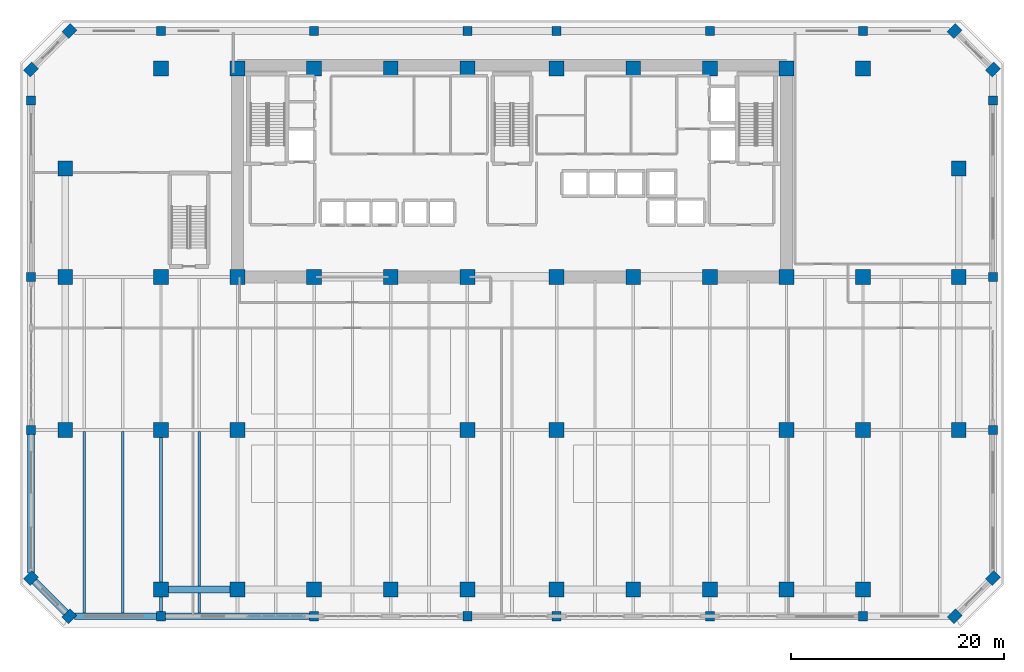
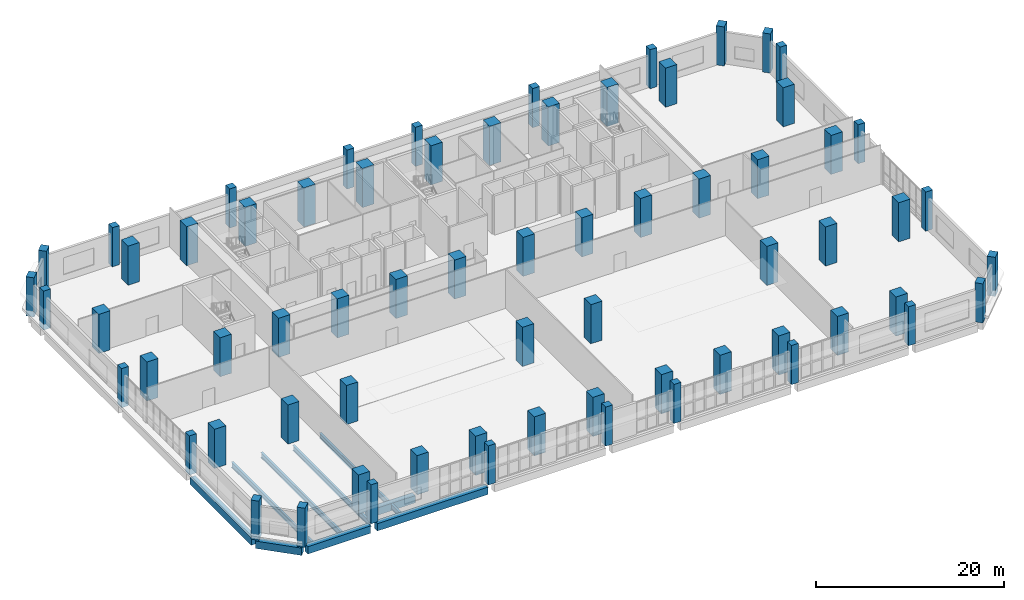
# One storey, part 1 of 25: 68 columns, 9 beams.
"""IFC4 building model written with IfcOpenShell, lengths in metres."""

from ifc_helpers import new_model, si_unit, direction, frame, origin, origin_2d, place, context, subcontext, project, spatial, rectangle, i_section, extrude, material, material_profile, profile_set, type_object, element, save


model = new_model("IFC4")

# Units and contexts
model_context = context("Model", 3, precision=1e-05, world=origin(), true_north=direction((0.0, 1.0)))
body_context = subcontext(model_context, "Body", "Model", "MODEL_VIEW")
ifc_project = project(units=[si_unit("LENGTHUNIT", "METRE"), si_unit("AREAUNIT", "SQUARE_METRE"), si_unit("VOLUMEUNIT", "CUBIC_METRE"), si_unit("PLANEANGLEUNIT", "RADIAN"), si_unit("MASSUNIT", "GRAM", prefix="KILO")], contexts=[model_context])

# Site, building, storey
site_placement = place(None, origin())
site = spatial("IfcSite", under=ifc_project, at=site_placement, CompositionType="ELEMENT")
building_placement = place(site_placement, origin())
building = spatial("IfcBuilding", under=site, at=building_placement, Name="Kaelvorn Grand Hotel", CompositionType="ELEMENT")
storey_placement = place(building_placement, frame((0.0, 0.0, 14.0)))
storey = spatial("IfcBuildingStorey", under=building, at=storey_placement, Name="L02", CompositionType="ELEMENT", Elevation=14.0)

# Columns
ifc_material_1 = material(Name="Concrete C80/95", Category="concrete")
ifc_material_profile_1 = material_profile(ifc_material_1, rectangle(XDim=1.10009765625, YDim=0.89990234375, at=origin_2d()), Name="RC PILASTER 1100x900")
ifc_profile_set_1 = profile_set([ifc_material_profile_1], Name="Concrete C80/95")
column_type_1 = type_object("IfcColumnType", Name="COL-PIL-1100x900-C80", PredefinedType="PILASTER", material=ifc_profile_set_1)
for number, where, z_axis, x_axis, name in (
    (1, (0.39990234375, -2.5, 0.0), (0.0, 0.0, 1.0), (0.707106781187, 0.707106781187, 0.0), "L02 Structural Column PDCH-01"),
    (2, (83.60009765625, -2.5, 0.0), (0.0, 0.0, 1.0), (0.707106781187, 0.707106781187, 0.0), "L02 Structural Column PDCH-02"),
    (3, (87.199951171875, 1.10009765625, 0.0), (0.0, 0.0, 1.0), (0.707106781187, 0.707106781187, 0.0), "L02 Structural Column PDCH-03"),
    (4, (87.199951171875, 48.89990234375, 0.0), (0.0, 0.0, 1.0), (0.707106781187, 0.707106781187, 0.0), "L02 Structural Column PDCH-04"),
    (5, (83.60009765625, 52.5, 0.0), (0.0, 0.0, 1.0), (0.707106781187, 0.707106781187, 0.0), "L02 Structural Column PDCH-05"),
    (6, (0.39990234375, 52.5, 0.0), (0.0, 0.0, 1.0), (0.707106781187, 0.707106781187, 0.0), "L02 Structural Column PDCH-06"),
    (7, (-3.199951171875, 48.89990234375, 0.0), (0.0, 0.0, 1.0), (0.707106781187, 0.707106781187, 0.0), "L02 Structural Column PDCH-07"),
    (8, (-3.199951171875, 1.10009765625, 0.0), (0.0, 0.0, 1.0), (0.707106781187, 0.707106781187, 0.0), "L02 Structural Column PDCH-08"),
):
    element("IfcColumn", number, at=place(storey_placement, frame(where, z_axis=z_axis, x_axis=x_axis)), inside=storey, type_object=column_type_1, Name=name, PredefinedType="PILASTER", context=body_context, shape_type="SweptSolid", body=[
        extrude(rectangle(XDim=1.10009765625, YDim=0.89990234375, at=origin_2d()), origin(), (0.0, 0.0, 1.0), 5.080078125),
    ])
ifc_material_profile_2 = material_profile(ifc_material_1, rectangle(XDim=1.39990234375, YDim=1.39990234375, at=origin_2d()), Name="RC COL 1400x1400")
ifc_profile_set_2 = profile_set([ifc_material_profile_2], Name="Concrete C80/95")
column_type_2 = type_object("IfcColumnType", Name="COL-RC-1400-C80", PredefinedType="COLUMN", material=ifc_profile_set_2)
for number, where, z_axis, x_axis, name in (
    (9, (9.0, 0.0, 0.0), (0.0, 0.0, 1.0), (1.0, 0.0, 0.0), "L02 Structural Column TS-01"),
    (10, (9.0, 29.39990234375, 0.0), (0.0, 0.0, 1.0), (1.0, 0.0, 0.0), "L02 Structural Column TC-01"),
    (11, (9.0, 49.0, 0.0), (0.0, 0.0, 1.0), (1.0, 0.0, 0.0), "L02 Structural Column TN-01"),
    (12, (16.199951171875, 0.0, 0.0), (0.0, 0.0, 1.0), (1.0, 0.0, 0.0), "L02 Structural Column TS-02"),
    (13, (16.199951171875, 29.39990234375, 0.0), (0.0, 0.0, 1.0), (1.0, 0.0, 0.0), "L02 Structural Column TC-02"),
    (14, (16.199951171875, 49.0, 0.0), (0.0, 0.0, 1.0), (1.0, 0.0, 0.0), "L02 Structural Column TN-02"),
    (15, (23.39990234375, 0.0, 0.0), (0.0, 0.0, 1.0), (1.0, 0.0, 0.0), "L02 Structural Column TS-03"),
    (16, (23.39990234375, 29.39990234375, 0.0), (0.0, 0.0, 1.0), (1.0, 0.0, 0.0), "L02 Structural Column TC-03"),
    (17, (23.39990234375, 49.0, 0.0), (0.0, 0.0, 1.0), (1.0, 0.0, 0.0), "L02 Structural Column TN-03"),
    (18, (30.60009765625, 0.0, 0.0), (0.0, 0.0, 1.0), (1.0, 0.0, 0.0), "L02 Structural Column TS-04"),
    (19, (30.60009765625, 29.39990234375, 0.0), (0.0, 0.0, 1.0), (1.0, 0.0, 0.0), "L02 Structural Column TC-04"),
    (20, (30.60009765625, 49.0, 0.0), (0.0, 0.0, 1.0), (1.0, 0.0, 0.0), "L02 Structural Column TN-04"),
    (21, (37.800048828125, 0.0, 0.0), (0.0, 0.0, 1.0), (1.0, 0.0, 0.0), "L02 Structural Column TS-05"),
    (22, (37.800048828125, 29.39990234375, 0.0), (0.0, 0.0, 1.0), (1.0, 0.0, 0.0), "L02 Structural Column TC-05"),
    (23, (37.800048828125, 49.0, 0.0), (0.0, 0.0, 1.0), (1.0, 0.0, 0.0), "L02 Structural Column TN-05"),
    (24, (46.199951171875, 0.0, 0.0), (0.0, 0.0, 1.0), (1.0, 0.0, 0.0), "L02 Structural Column TS-06"),
    (25, (46.199951171875, 29.39990234375, 0.0), (0.0, 0.0, 1.0), (1.0, 0.0, 0.0), "L02 Structural Column TC-06"),
    (26, (46.199951171875, 49.0, 0.0), (0.0, 0.0, 1.0), (1.0, 0.0, 0.0), "L02 Structural Column TN-06"),
    (27, (53.39990234375, 0.0, 0.0), (0.0, 0.0, 1.0), (1.0, 0.0, 0.0), "L02 Structural Column TS-07"),
    (28, (53.39990234375, 29.39990234375, 0.0), (0.0, 0.0, 1.0), (1.0, 0.0, 0.0), "L02 Structural Column TC-07"),
    (29, (53.39990234375, 49.0, 0.0), (0.0, 0.0, 1.0), (1.0, 0.0, 0.0), "L02 Structural Column TN-07"),
    (30, (60.60009765625, 0.0, 0.0), (0.0, 0.0, 1.0), (1.0, 0.0, 0.0), "L02 Structural Column TS-08"),
    (31, (60.60009765625, 29.39990234375, 0.0), (0.0, 0.0, 1.0), (1.0, 0.0, 0.0), "L02 Structural Column TC-08"),
    (32, (60.60009765625, 49.0, 0.0), (0.0, 0.0, 1.0), (1.0, 0.0, 0.0), "L02 Structural Column TN-08"),
    (33, (67.800048828125, 0.0, 0.0), (0.0, 0.0, 1.0), (1.0, 0.0, 0.0), "L02 Structural Column TS-09"),
    (34, (67.800048828125, 29.39990234375, 0.0), (0.0, 0.0, 1.0), (1.0, 0.0, 0.0), "L02 Structural Column TC-09"),
    (35, (67.800048828125, 49.0, 0.0), (0.0, 0.0, 1.0), (1.0, 0.0, 0.0), "L02 Structural Column TN-09"),
    (36, (75.0, 0.0, 0.0), (0.0, 0.0, 1.0), (1.0, 0.0, 0.0), "L02 Structural Column TS-10"),
    (37, (75.0, 29.39990234375, 0.0), (0.0, 0.0, 1.0), (1.0, 0.0, 0.0), "L02 Structural Column TC-10"),
    (38, (75.0, 49.0, 0.0), (0.0, 0.0, 1.0), (1.0, 0.0, 0.0), "L02 Structural Column TN-10"),
    (39, (9.0, 15.0, 0.0), (0.0, 0.0, 1.0), (1.0, 0.0, 0.0), "L02 Structural Column TM-01"),
    (40, (37.800048828125, 15.0, 0.0), (0.0, 0.0, 1.0), (1.0, 0.0, 0.0), "L02 Structural Column TM-02"),
    (41, (46.199951171875, 15.0, 0.0), (0.0, 0.0, 1.0), (1.0, 0.0, 0.0), "L02 Structural Column TM-03"),
    (42, (75.0, 15.0, 0.0), (0.0, 0.0, 1.0), (1.0, 0.0, 0.0), "L02 Structural Column TM-04"),
    (43, (16.199951171875, 15.0, 0.0), (0.0, 0.0, 1.0), (1.0, 0.0, 0.0), "L02 Structural Column TMR-01"),
    (44, (67.800048828125, 15.0, 0.0), (0.0, 0.0, 1.0), (1.0, 0.0, 0.0), "L02 Structural Column TMR-02"),
    (45, (0.0, 15.0, 0.0), (0.0, 0.0, 1.0), (1.0, 0.0, 0.0), "L02 Structural Column TW-01"),
    (46, (84.0, 15.0, 0.0), (0.0, 0.0, 1.0), (1.0, 0.0, 0.0), "L02 Structural Column TE-01"),
    (47, (0.0, 29.39990234375, 0.0), (0.0, 0.0, 1.0), (1.0, 0.0, 0.0), "L02 Structural Column TW-02"),
    (48, (84.0, 29.39990234375, 0.0), (0.0, 0.0, 1.0), (1.0, 0.0, 0.0), "L02 Structural Column TE-02"),
    (49, (0.0, 39.60009765625, 0.0), (0.0, 0.0, 1.0), (1.0, 0.0, 0.0), "L02 Structural Column TW-03"),
    (50, (84.0, 39.60009765625, 0.0), (0.0, 0.0, 1.0), (1.0, 0.0, 0.0), "L02 Structural Column TE-03"),
):
    element("IfcColumn", number, at=place(storey_placement, frame(where, z_axis=z_axis, x_axis=x_axis)), inside=storey, type_object=column_type_2, Name=name, PredefinedType="COLUMN", context=body_context, shape_type="SweptSolid", body=[
        extrude(rectangle(XDim=1.39990234375, YDim=1.39990234375, at=origin_2d()), origin(), (0.0, 0.0, 1.0), 5.080078125),
    ])
ifc_material_2 = material(Name="Concrete C50/60", Category="concrete")
ifc_material_profile_3 = material_profile(ifc_material_2, rectangle(XDim=0.85009765625, YDim=0.85009765625, at=origin_2d()), Name="RC COL 850x850")
ifc_profile_set_3 = profile_set([ifc_material_profile_3], Name="Concrete C50/60")
column_type_3 = type_object("IfcColumnType", Name="COL-RC-850-C50", PredefinedType="COLUMN", material=ifc_profile_set_3)
for number, where, z_axis, x_axis, name in (
    (51, (9.0, -2.5, 0.0), (0.0, 0.0, 1.0), (1.0, 0.0, 0.0), "L02 Structural Column PDS-01"),
    (52, (9.0, 52.5, 0.0), (0.0, 0.0, 1.0), (1.0, 0.0, 0.0), "L02 Structural Column PDN-01"),
    (53, (23.39990234375, -2.5, 0.0), (0.0, 0.0, 1.0), (1.0, 0.0, 0.0), "L02 Structural Column PDS-02"),
    (54, (23.39990234375, 52.5, 0.0), (0.0, 0.0, 1.0), (1.0, 0.0, 0.0), "L02 Structural Column PDN-02"),
    (55, (37.800048828125, -2.5, 0.0), (0.0, 0.0, 1.0), (1.0, 0.0, 0.0), "L02 Structural Column PDS-03"),
    (56, (37.800048828125, 52.5, 0.0), (0.0, 0.0, 1.0), (1.0, 0.0, 0.0), "L02 Structural Column PDN-03"),
    (57, (46.199951171875, -2.5, 0.0), (0.0, 0.0, 1.0), (1.0, 0.0, 0.0), "L02 Structural Column PDS-04"),
    (58, (46.199951171875, 52.5, 0.0), (0.0, 0.0, 1.0), (1.0, 0.0, 0.0), "L02 Structural Column PDN-04"),
    (59, (60.60009765625, -2.5, 0.0), (0.0, 0.0, 1.0), (1.0, 0.0, 0.0), "L02 Structural Column PDS-05"),
    (60, (60.60009765625, 52.5, 0.0), (0.0, 0.0, 1.0), (1.0, 0.0, 0.0), "L02 Structural Column PDN-05"),
    (61, (75.0, -2.5, 0.0), (0.0, 0.0, 1.0), (1.0, 0.0, 0.0), "L02 Structural Column PDS-06"),
    (62, (75.0, 52.5, 0.0), (0.0, 0.0, 1.0), (1.0, 0.0, 0.0), "L02 Structural Column PDN-06"),
    (63, (-3.199951171875, 15.0, 0.0), (0.0, 0.0, 1.0), (1.0, 0.0, 0.0), "L02 Structural Column PDW-01"),
    (64, (87.199951171875, 15.0, 0.0), (0.0, 0.0, 1.0), (1.0, 0.0, 0.0), "L02 Structural Column PDE-01"),
    (65, (-3.199951171875, 29.39990234375, 0.0), (0.0, 0.0, 1.0), (1.0, 0.0, 0.0), "L02 Structural Column PDW-02"),
    (66, (87.199951171875, 29.39990234375, 0.0), (0.0, 0.0, 1.0), (1.0, 0.0, 0.0), "L02 Structural Column PDE-02"),
    (67, (-3.199951171875, 46.0, 0.0), (0.0, 0.0, 1.0), (1.0, 0.0, 0.0), "L02 Structural Column PDW-03"),
    (68, (87.199951171875, 46.0, 0.0), (0.0, 0.0, 1.0), (1.0, 0.0, 0.0), "L02 Structural Column PDE-03"),
):
    element("IfcColumn", number, at=place(storey_placement, frame(where, z_axis=z_axis, x_axis=x_axis)), inside=storey, type_object=column_type_3, Name=name, PredefinedType="COLUMN", context=body_context, shape_type="SweptSolid", body=[
        extrude(rectangle(XDim=0.85009765625, YDim=0.85009765625, at=origin_2d()), origin(), (0.0, 0.0, 1.0), 5.080078125),
    ])

# Beams
ifc_material_3 = material(Name="Steel S355", Category="steel")
ifc_material_profile_4 = material_profile(ifc_material_3, i_section(OverallWidth=0.25439453125, OverallDepth=0.6875, WebThickness=0.01318359375, FlangeThickness=0.02099609375, FilletRadius=0.01513671875, at=origin_2d()), Name="UB 686x254x152")
ifc_profile_set_4 = profile_set([ifc_material_profile_4], Name="Steel S355")
beam_type_1 = type_object("IfcBeamType", Name="BM-J-UB686-S355", PredefinedType="JOIST", material=ifc_profile_set_4)
for number, where, z_axis, x_axis, name in (
    (69, (1.800048828125, -2.18994140625, -0.663818359375), (0.0, 1.0, 0.0), (-1.0, 0.0, 0.0), "L02 Composite Floor Joist JS-01"),
    (70, (5.39990234375, -2.18994140625, -0.663818359375), (0.0, 1.0, 0.0), (-1.0, 0.0, 0.0), "L02 Composite Floor Joist JS-02"),
):
    element("IfcBeam", number, at=place(storey_placement, frame(where, z_axis=z_axis, x_axis=x_axis)), inside=storey, type_object=beam_type_1, Name=name, PredefinedType="JOIST", context=body_context, shape_type="SweptSolid", body=[
        extrude(i_section(OverallWidth=0.25439453125, OverallDepth=0.6875, WebThickness=0.01318359375, FlangeThickness=0.02099609375, FilletRadius=0.01513671875, at=origin_2d()), origin(), (0.0, 0.0, 1.0), 17.054931640625),
    ])
beam_1_placement = place(storey_placement, frame((9.0, -2.090087890625, -0.663818359375), z_axis=(0.0, 1.0, 0.0), x_axis=(-1.0, 0.0, 0.0)))
element("IfcBeam", 71, at=beam_1_placement, inside=storey, type_object=beam_type_1, Name="L02 Composite Floor Joist JS-03", PredefinedType="JOIST", context=body_context, shape_type="SweptSolid", body=[
    extrude(i_section(OverallWidth=0.25439453125, OverallDepth=0.6875, WebThickness=0.01318359375, FlangeThickness=0.02099609375, FilletRadius=0.01513671875, at=origin_2d()), origin(), (0.0, 0.0, 1.0), 16.405029296875),
])
beam_2_placement = place(storey_placement, frame((12.60009765625, -2.18994140625, -0.663818359375), z_axis=(0.0, 1.0, 0.0), x_axis=(-1.0, 0.0, 0.0)))
element("IfcBeam", 72, at=beam_2_placement, inside=storey, type_object=beam_type_1, Name="L02 Composite Floor Joist JS-04", PredefinedType="JOIST", context=body_context, shape_type="SweptSolid", body=[
    extrude(i_section(OverallWidth=0.25439453125, OverallDepth=0.6875, WebThickness=0.01318359375, FlangeThickness=0.02099609375, FilletRadius=0.01513671875, at=origin_2d()), origin(), (0.0, 0.0, 1.0), 17.054931640625),
])
ifc_material_4 = material(Name="Concrete C60/75", Category="concrete")
ifc_material_profile_5 = material_profile(ifc_material_4, rectangle(XDim=0.64990234375, YDim=0.949951171875, at=origin_2d()), Name="RC SPANDREL 650x950")
ifc_profile_set_5 = profile_set([ifc_material_profile_5], Name="Concrete C60/75")
beam_type_2 = type_object("IfcBeamType", Name="BM-SP-650x950-C60", PredefinedType="SPANDREL", material=ifc_profile_set_5)
beam_3_placement = place(storey_placement, frame((0.885009765625, -2.5, -0.794921875), z_axis=(1.0, 0.0, 0.0), x_axis=(0.0, 1.0, 0.0)))
element("IfcBeam", 73, at=beam_3_placement, inside=storey, type_object=beam_type_2, Name="L02 South Perimeter Spandrel 01", PredefinedType="SPANDREL", context=body_context, shape_type="SweptSolid", body=[
    extrude(rectangle(XDim=0.64990234375, YDim=0.949951171875, at=origin_2d()), origin(), (0.0, 0.0, 1.0), 7.705078125),
])
beam_4_placement = place(storey_placement, frame((9.409912109375, -2.5, -0.794921875), z_axis=(1.0, 0.0, 0.0), x_axis=(0.0, 1.0, 0.0)))
element("IfcBeam", 74, at=beam_4_placement, inside=storey, type_object=beam_type_2, Name="L02 South Perimeter Spandrel 02", PredefinedType="SPANDREL", context=body_context, shape_type="SweptSolid", body=[
    extrude(rectangle(XDim=0.64990234375, YDim=0.949951171875, at=origin_2d()), origin(), (0.0, 0.0, 1.0), 13.580078125),
])
beam_5_placement = place(storey_placement, frame((-3.199951171875, 1.5849609375, -0.794921875), z_axis=(0.0, 1.0, 0.0), x_axis=(-1.0, 0.0, 0.0)))
element("IfcBeam", 75, at=beam_5_placement, inside=storey, type_object=beam_type_2, Name="L02 West Perimeter Spandrel 01", PredefinedType="SPANDREL", context=body_context, shape_type="SweptSolid", body=[
    extrude(rectangle(XDim=0.64990234375, YDim=0.949951171875, at=origin_2d()), origin(), (0.0, 0.0, 1.0), 13.005126953125),
])
beam_6_placement = place(storey_placement, frame((-3.199951171875, 1.10009765625, -0.794921875), z_axis=(0.707082803744, -0.707130757816, 0.0), x_axis=(0.707130757816, 0.707082803744, 0.0)))
element("IfcBeam", 76, at=beam_6_placement, inside=storey, type_object=beam_type_2, Name="L02 Chamfer Spandrel Beam 4", PredefinedType="SPANDREL", context=body_context, shape_type="SweptSolid", body=[
    extrude(rectangle(XDim=0.64990234375, YDim=0.949951171875, at=origin_2d()), origin(), (0.0, 0.0, 1.0), 5.091064453125),
])
beam_7_placement = place(storey_placement, frame((9.68505859375, 0.0, -0.794921875), z_axis=(1.0, 0.0, 0.0), x_axis=(0.0, 1.0, 0.0)))
element("IfcBeam", 77, at=beam_7_placement, inside=storey, type_object=beam_type_2, Name="L02 Tower Line South Girder 01", PredefinedType="SPANDREL", context=body_context, shape_type="SweptSolid", body=[
    extrude(rectangle(XDim=0.64990234375, YDim=0.949951171875, at=origin_2d()), origin(), (0.0, 0.0, 1.0), 5.829833984375),
])

save(model, "model.ifc")
